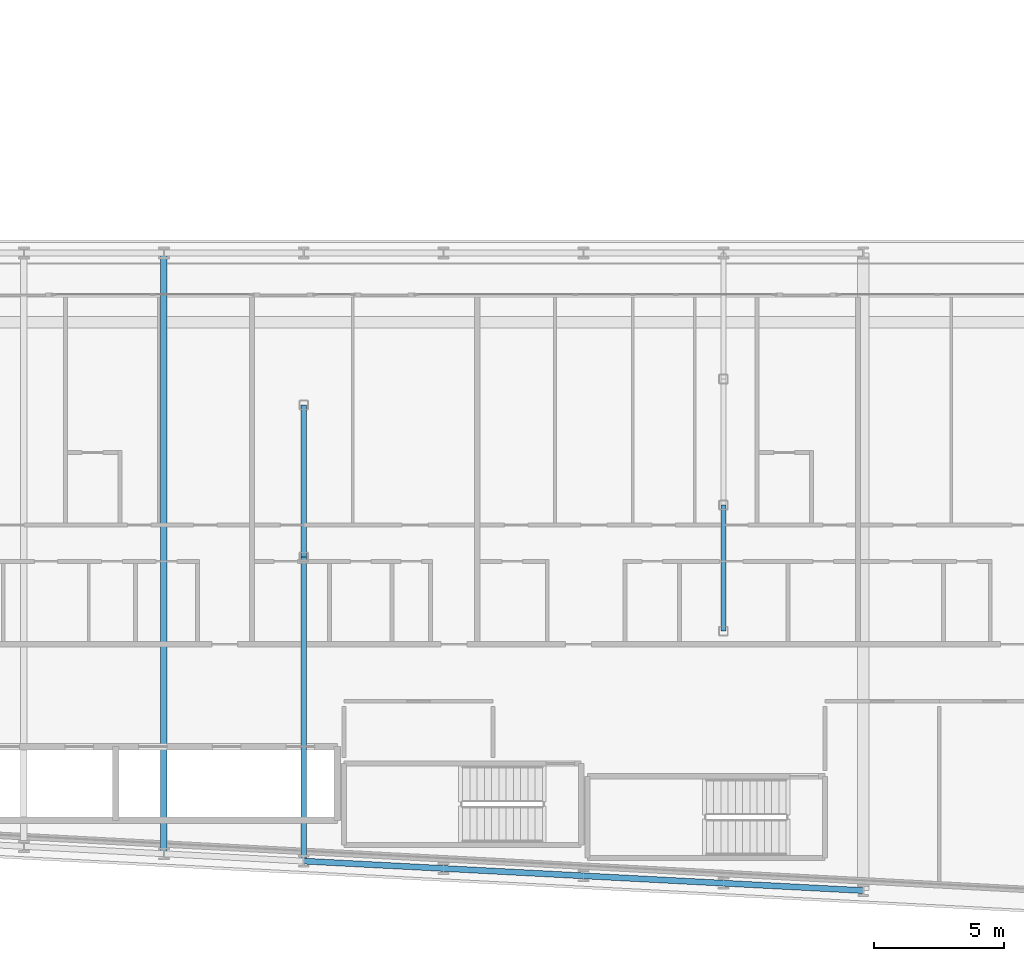
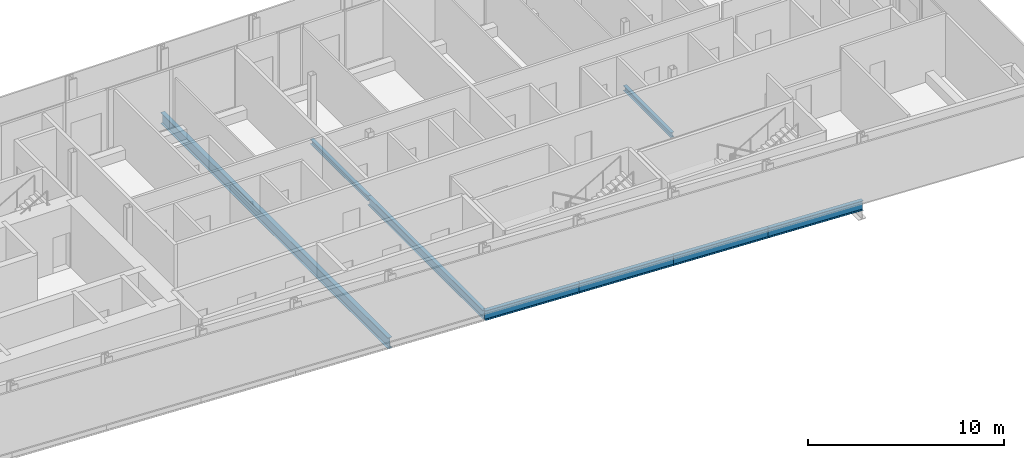
# One storey, part 5 of 25: 8 beams.
"""IFC4 building model written with IfcOpenShell, lengths in metres."""

from ifc_helpers import new_model, si_unit, direction, frame, origin, origin_2d, place, context, subcontext, project, spatial, i_section, extrude, material, material_profile, profile_set, type_object, element, save


model = new_model("IFC4")

# Units and contexts
model_context = context("Model", 3, precision=1e-05, world=origin(), true_north=direction((0.0, 1.0)))
body_context = subcontext(model_context, "Body", "Model", "MODEL_VIEW")
ifc_project = project(units=[si_unit("LENGTHUNIT", "METRE"), si_unit("AREAUNIT", "SQUARE_METRE"), si_unit("VOLUMEUNIT", "CUBIC_METRE"), si_unit("PLANEANGLEUNIT", "RADIAN"), si_unit("MASSUNIT", "GRAM", prefix="KILO")], contexts=[model_context])

# Site, building, storey
site_placement = place(None, origin())
site = spatial("IfcSite", under=ifc_project, at=site_placement, CompositionType="ELEMENT")
building_placement = place(site_placement, origin())
building = spatial("IfcBuilding", under=site, at=building_placement, Name="Kheshtan School and Residences Tower", CompositionType="ELEMENT")
storey_placement = place(building_placement, frame((0.0, 0.0, 109.699951171875)))
storey = spatial("IfcBuildingStorey", under=building, at=storey_placement, Name="L25", CompositionType="ELEMENT", Elevation=109.699951171875)

# Beams
ifc_material = material(Name="Steel ASTM A992 Grade 50", Category="steel")
ifc_material_profile_1 = material_profile(ifc_material, i_section(OverallWidth=0.202880859375, OverallDepth=0.302978515625, WebThickness=0.007568359375, FlangeThickness=0.01318359375, FilletRadius=0.009033203125, at=origin_2d()), Name="W310x60")
ifc_profile_set_1 = profile_set([ifc_material_profile_1], Name="Steel ASTM A992 Grade 50")
beam_type_1 = type_object("IfcBeamType", Name="Beam FB1 W310x60 ASTM A992 Grade 50", PredefinedType="BEAM", material=ifc_profile_set_1)
beam_1_placement = place(storey_placement, frame((85.39990234375, 31.0048828125, -0.301513671875), z_axis=(0.0, 1.0, 0.0), x_axis=(-1.0, 0.0, 0.0)))
element("IfcBeam", 1, at=beam_1_placement, inside=storey, type_object=beam_type_1, Name="Floor beam IC", PredefinedType="BEAM", context=body_context, shape_type="SweptSolid", body=[
    extrude(i_section(OverallWidth=0.202880859375, OverallDepth=0.302978515625, WebThickness=0.007568359375, FlangeThickness=0.01318359375, FilletRadius=0.009033203125, at=origin_2d()), origin(), (0.0, 0.0, 1.0), 4.865234375),
])
beam_2_placement = place(storey_placement, frame((69.199951171875, 33.863037109375, -0.301513671875), z_axis=(0.0, 1.0, 0.0), x_axis=(-1.0, 0.0, 0.0)))
element("IfcBeam", 2, at=beam_2_placement, inside=storey, type_object=beam_type_1, Name="Floor beam IC", PredefinedType="BEAM", context=body_context, shape_type="SweptSolid", body=[
    extrude(i_section(OverallWidth=0.202880859375, OverallDepth=0.302978515625, WebThickness=0.007568359375, FlangeThickness=0.01318359375, FilletRadius=0.009033203125, at=origin_2d()), origin(), (0.0, 0.0, 1.0), 5.868896484375),
])
ifc_material_profile_2 = material_profile(ifc_material, i_section(OverallWidth=0.208984375, OverallDepth=0.532958984375, WebThickness=0.01025390625, FlangeThickness=0.015625, FilletRadius=0.013916015625, at=origin_2d()), Name="W530x92")
ifc_profile_set_2 = profile_set([ifc_material_profile_2], Name="Steel ASTM A992 Grade 50")
beam_type_2 = type_object("IfcBeamType", Name="Beam FB4 W530x92 ASTM A992 Grade 50", PredefinedType="BEAM", material=ifc_profile_set_2)
beam_3_placement = place(storey_placement, frame((69.199951171875, 22.126953125, -0.41650390625), z_axis=(0.0, 1.0, 0.0), x_axis=(-1.0, 0.0, 0.0)))
element("IfcBeam", 3, at=beam_3_placement, inside=storey, type_object=beam_type_2, Name="Floor beam C014", PredefinedType="BEAM", context=body_context, shape_type="SweptSolid", body=[
    extrude(i_section(OverallWidth=0.208984375, OverallDepth=0.532958984375, WebThickness=0.01025390625, FlangeThickness=0.015625, FilletRadius=0.013916015625, at=origin_2d()), origin(), (0.0, 0.0, 1.0), 11.736083984375),
])
ifc_material_profile_3 = material_profile(ifc_material, i_section(OverallWidth=0.2529296875, OverallDepth=0.677978515625, WebThickness=0.01171875, FlangeThickness=0.016357421875, FilletRadius=0.0146484375, at=origin_2d()), Name="W690x125")
ifc_profile_set_3 = profile_set([ifc_material_profile_3], Name="Steel ASTM A992 Grade 50")
beam_type_3 = type_object("IfcBeamType", Name="Beam FB6 W690x125 ASTM A992 Grade 50", PredefinedType="BEAM", material=ifc_profile_set_3)
beam_4_placement = place(storey_placement, frame((63.800048828125, 45.60009765625, -0.489013671875), z_axis=(0.0, -1.0, 0.0), x_axis=(1.0, 0.0, 0.0)))
element("IfcBeam", 4, at=beam_4_placement, inside=storey, type_object=beam_type_3, Name="Floor beam C063", PredefinedType="BEAM", context=body_context, shape_type="SweptSolid", body=[
    extrude(i_section(OverallWidth=0.2529296875, OverallDepth=0.677978515625, WebThickness=0.01171875, FlangeThickness=0.016357421875, FilletRadius=0.0146484375, at=origin_2d()), origin(), (0.0, 0.0, 1.0), 23.189208984375),
])
ifc_material_profile_4 = material_profile(ifc_material, i_section(OverallWidth=0.22802734375, OverallDepth=0.60302734375, WebThickness=0.010498046875, FlangeThickness=0.014892578125, FilletRadius=0.013427734375, at=origin_2d()), Name="W610x101")
ifc_profile_set_4 = profile_set([ifc_material_profile_4], Name="Steel ASTM A992 Grade 50")
beam_type_4 = type_object("IfcBeamType", Name="Beam SP2 W610x101 ASTM A992 Grade 50", PredefinedType="BEAM", material=ifc_profile_set_4)
beam_5_placement = place(storey_placement, frame((90.800048828125, 20.989990234375, -0.451416015625), z_axis=(-0.998620571751, 0.05250670125, 0.0), x_axis=(-0.05250670125, -0.998620571751, 0.0)))
element("IfcBeam", 5, at=beam_5_placement, inside=storey, type_object=beam_type_4, Name="Spandrel beam C006-C008", PredefinedType="BEAM", context=body_context, shape_type="SweptSolid", body=[
    extrude(i_section(OverallWidth=0.22802734375, OverallDepth=0.60302734375, WebThickness=0.010498046875, FlangeThickness=0.014892578125, FilletRadius=0.013427734375, at=origin_2d()), origin(), (0.0, 0.0, 1.0), 5.40771484375),
])
for number, where, z_axis, x_axis, name in (
    (6, (85.39990234375, 21.27392578125, -0.451416015625), (-0.998618078766, 0.052554093665, 0.0), (-0.052554093665, -0.998618078766, 0.0), "Spandrel beam C008-C012"),
    (7, (80.0, 21.55810546875, -0.451416015625), (-0.998610961136, 0.052689166816, 0.0), (-0.052689166816, -0.998610961136, 0.0), "Spandrel beam C012-C013"),
):
    element("IfcBeam", number, at=place(storey_placement, frame(where, z_axis=z_axis, x_axis=x_axis)), inside=storey, type_object=beam_type_4, Name=name, PredefinedType="BEAM", context=body_context, shape_type="SweptSolid", body=[
        extrude(i_section(OverallWidth=0.22802734375, OverallDepth=0.60302734375, WebThickness=0.010498046875, FlangeThickness=0.014892578125, FilletRadius=0.013427734375, at=origin_2d()), origin(), (0.0, 0.0, 1.0), 5.407470703125),
    ])
beam_6_placement = place(storey_placement, frame((74.60009765625, 21.843017578125, -0.451416015625), z_axis=(-0.998620571751, 0.05250670125, 0.0), x_axis=(-0.05250670125, -0.998620571751, 0.0)))
element("IfcBeam", 8, at=beam_6_placement, inside=storey, type_object=beam_type_4, Name="Spandrel beam C013-C014", PredefinedType="BEAM", context=body_context, shape_type="SweptSolid", body=[
    extrude(i_section(OverallWidth=0.22802734375, OverallDepth=0.60302734375, WebThickness=0.010498046875, FlangeThickness=0.014892578125, FilletRadius=0.013427734375, at=origin_2d()), origin(), (0.0, 0.0, 1.0), 5.40771484375),
])

save(model, "model.ifc")
